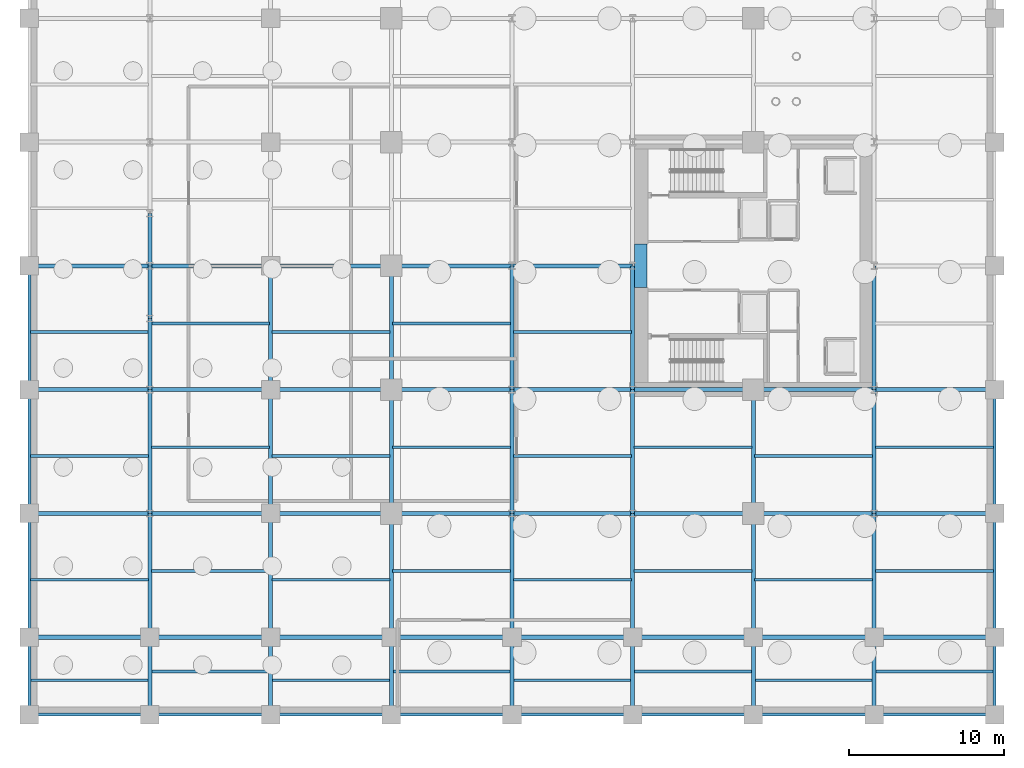
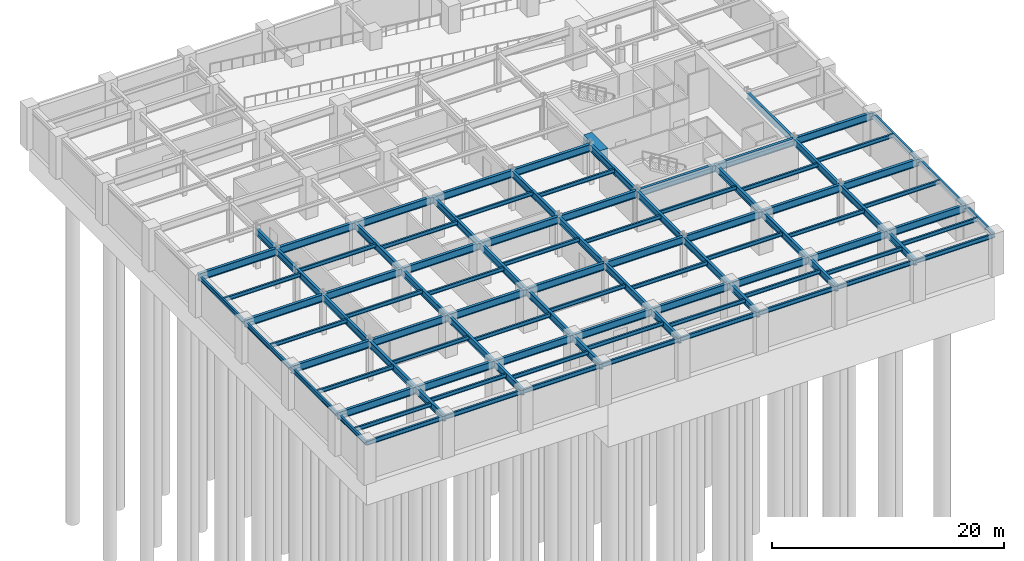
# One storey, part 3 of 10: 103 beams.
"""IFC4 building model written with IfcOpenShell, lengths in metres."""

from ifc_helpers import new_model, si_unit, direction, frame, origin, origin_2d, place, context, subcontext, project, spatial, rectangle, i_section, extrude, material, material_profile, profile_set, type_object, element, save


model = new_model("IFC4")

# Units and contexts
model_context = context("Model", 3, precision=1e-05, world=origin(), true_north=direction((0.0, 1.0)))
body_context = subcontext(model_context, "Body", "Model", "MODEL_VIEW")
ifc_project = project(units=[si_unit("LENGTHUNIT", "METRE"), si_unit("AREAUNIT", "SQUARE_METRE"), si_unit("VOLUMEUNIT", "CUBIC_METRE"), si_unit("PLANEANGLEUNIT", "RADIAN"), si_unit("MASSUNIT", "GRAM", prefix="KILO")], contexts=[model_context])

# Site, building, storey
site_placement = place(None, origin())
site = spatial("IfcSite", under=ifc_project, at=site_placement, CompositionType="ELEMENT")
building_placement = place(site_placement, origin())
building = spatial("IfcBuilding", under=site, at=building_placement, Name="Veymaron Broadcast Tower", CompositionType="ELEMENT")
storey_placement = place(building_placement, frame((0.0, 0.0, -9.0)))
storey = spatial("IfcBuildingStorey", under=building, at=storey_placement, Name="B2", CompositionType="ELEMENT", Elevation=-9.0)

# Beams
ifc_material_1 = material(Name="Concrete C70/85", Category="concrete")
ifc_material_profile_1 = material_profile(ifc_material_1, rectangle(XDim=0.800048828125, YDim=1.10009765625, at=origin_2d()), Name="RC800X1100")
ifc_profile_set_1 = profile_set([ifc_material_profile_1], Name="Concrete C70/85")
beam_type_1 = type_object("IfcBeamType", Name="BM-CB1", PredefinedType="LINTEL", material=ifc_profile_set_1)
beam_1_placement = place(storey_placement, frame((39.530029296875, 22.60009765625, 3.60009765625), z_axis=(0.0, 1.0, 0.0), x_axis=(-1.0, 0.0, 0.0)))
element("IfcBeam", 1, at=beam_1_placement, inside=storey, type_object=beam_type_1, Name="B2 Core Wall west coupling beam", PredefinedType="LINTEL", context=body_context, shape_type="SweptSolid", body=[
    extrude(rectangle(XDim=0.800048828125, YDim=1.10009765625, at=origin_2d()), origin(), (0.0, 0.0, 1.0), 2.7998046875),
])
ifc_material_2 = material(Name="Structural steel ASTM A992 Gr 50", Category="steel")
ifc_material_profile_2 = material_profile(ifc_material_2, i_section(OverallWidth=0.177978515625, OverallDepth=0.406982421875, WebThickness=0.0078125, FlangeThickness=0.0126953125, at=origin_2d()), Name="W410X60")
ifc_profile_set_2 = profile_set([ifc_material_profile_2], Name="Structural steel ASTM A992 Gr 50")
beam_type_2 = type_object("IfcBeamType", Name="BM-JS1", PredefinedType="JOIST", material=ifc_profile_set_2)
for number, where, z_axis, x_axis, name in (
    (2, (0.0849609375, -2.780029296875, 3.946533203125), (1.0, 0.0, 0.0), (0.0, 1.0, 0.0), "B2 podium secondary floor joist"),
    (3, (0.0849609375, 3.719970703125, 3.946533203125), (1.0, 0.0, 0.0), (0.0, 1.0, 0.0), "B2 podium secondary floor joist"),
    (4, (0.0849609375, 11.719970703125, 3.946533203125), (1.0, 0.0, 0.0), (0.0, 1.0, 0.0), "B2 podium secondary floor joist"),
    (5, (0.0849609375, 19.719970703125, 3.946533203125), (1.0, 0.0, 0.0), (0.0, 1.0, 0.0), "B2 podium secondary floor joist"),
):
    element("IfcBeam", number, at=place(storey_placement, frame(where, z_axis=z_axis, x_axis=x_axis)), inside=storey, type_object=beam_type_2, Name=name, PredefinedType="JOIST", context=body_context, shape_type="SweptSolid", body=[
        extrude(i_section(OverallWidth=0.177978515625, OverallDepth=0.406982421875, WebThickness=0.0078125, FlangeThickness=0.0126953125, at=origin_2d()), origin(), (0.0, 0.0, 1.0), 7.630126953125),
    ])
for number, where, z_axis, x_axis, name in (
    (6, (7.885009765625, -2.219970703125, 3.946533203125), (1.0, 0.0, 0.0), (0.0, 1.0, 0.0), "B2 podium secondary floor joist"),
    (7, (7.885009765625, 4.280029296875, 3.946533203125), (1.0, 0.0, 0.0), (0.0, 1.0, 0.0), "B2 podium secondary floor joist"),
    (8, (7.885009765625, 12.280029296875, 3.946533203125), (1.0, 0.0, 0.0), (0.0, 1.0, 0.0), "B2 podium secondary floor joist"),
    (9, (7.885009765625, 20.280029296875, 3.946533203125), (1.0, 0.0, 0.0), (0.0, 1.0, 0.0), "B2 podium secondary floor joist"),
    (10, (15.68505859375, -2.780029296875, 3.946533203125), (1.0, 0.0, 0.0), (0.0, 1.0, 0.0), "B2 podium secondary floor joist"),
    (11, (15.68505859375, 3.719970703125, 3.946533203125), (1.0, 0.0, 0.0), (0.0, 1.0, 0.0), "B2 podium secondary floor joist"),
    (12, (15.68505859375, 11.719970703125, 3.946533203125), (1.0, 0.0, 0.0), (0.0, 1.0, 0.0), "B2 podium secondary floor joist"),
    (13, (15.68505859375, 19.719970703125, 3.946533203125), (1.0, 0.0, 0.0), (0.0, 1.0, 0.0), "B2 podium secondary floor joist"),
    (14, (23.485107421875, -2.219970703125, 3.946533203125), (1.0, 0.0, 0.0), (0.0, 1.0, 0.0), "B2 podium secondary floor joist"),
    (15, (23.485107421875, 4.280029296875, 3.946533203125), (1.0, 0.0, 0.0), (0.0, 1.0, 0.0), "B2 podium secondary floor joist"),
    (16, (23.485107421875, 12.280029296875, 3.946533203125), (1.0, 0.0, 0.0), (0.0, 1.0, 0.0), "B2 podium secondary floor joist"),
    (17, (23.485107421875, 20.280029296875, 3.946533203125), (1.0, 0.0, 0.0), (0.0, 1.0, 0.0), "B2 podium secondary floor joist"),
):
    element("IfcBeam", number, at=place(storey_placement, frame(where, z_axis=z_axis, x_axis=x_axis)), inside=storey, type_object=beam_type_2, Name=name, PredefinedType="JOIST", context=body_context, shape_type="SweptSolid", body=[
        extrude(i_section(OverallWidth=0.177978515625, OverallDepth=0.406982421875, WebThickness=0.0078125, FlangeThickness=0.0126953125, at=origin_2d()), origin(), (0.0, 0.0, 1.0), 7.6298828125),
    ])
for number, where, z_axis, x_axis, name in (
    (18, (31.284912109375, -2.780029296875, 3.946533203125), (1.0, 0.0, 0.0), (0.0, 1.0, 0.0), "B2 podium secondary floor joist"),
    (19, (31.284912109375, 3.719970703125, 3.946533203125), (1.0, 0.0, 0.0), (0.0, 1.0, 0.0), "B2 podium secondary floor joist"),
    (20, (31.284912109375, 11.719970703125, 3.946533203125), (1.0, 0.0, 0.0), (0.0, 1.0, 0.0), "B2 podium secondary floor joist"),
    (21, (31.284912109375, 19.719970703125, 3.946533203125), (1.0, 0.0, 0.0), (0.0, 1.0, 0.0), "B2 podium secondary floor joist"),
    (22, (39.0849609375, -2.219970703125, 3.946533203125), (1.0, 0.0, 0.0), (0.0, 1.0, 0.0), "B2 podium secondary floor joist"),
    (23, (39.0849609375, 4.280029296875, 3.946533203125), (1.0, 0.0, 0.0), (0.0, 1.0, 0.0), "B2 podium secondary floor joist"),
    (24, (39.0849609375, 12.280029296875, 3.946533203125), (1.0, 0.0, 0.0), (0.0, 1.0, 0.0), "B2 podium secondary floor joist"),
):
    element("IfcBeam", number, at=place(storey_placement, frame(where, z_axis=z_axis, x_axis=x_axis)), inside=storey, type_object=beam_type_2, Name=name, PredefinedType="JOIST", context=body_context, shape_type="SweptSolid", body=[
        extrude(i_section(OverallWidth=0.177978515625, OverallDepth=0.406982421875, WebThickness=0.0078125, FlangeThickness=0.0126953125, at=origin_2d()), origin(), (0.0, 0.0, 1.0), 7.630126953125),
    ])
for number, where, z_axis, x_axis, name in (
    (25, (46.885009765625, -2.780029296875, 3.946533203125), (1.0, 0.0, 0.0), (0.0, 1.0, 0.0), "B2 podium secondary floor joist"),
    (26, (46.885009765625, 3.719970703125, 3.946533203125), (1.0, 0.0, 0.0), (0.0, 1.0, 0.0), "B2 podium secondary floor joist"),
    (27, (46.885009765625, 11.719970703125, 3.946533203125), (1.0, 0.0, 0.0), (0.0, 1.0, 0.0), "B2 podium secondary floor joist"),
    (28, (54.68505859375, -2.219970703125, 3.946533203125), (1.0, 0.0, 0.0), (0.0, 1.0, 0.0), "B2 podium secondary floor joist"),
    (29, (54.68505859375, 4.280029296875, 3.946533203125), (1.0, 0.0, 0.0), (0.0, 1.0, 0.0), "B2 podium secondary floor joist"),
    (30, (54.68505859375, 12.280029296875, 3.946533203125), (1.0, 0.0, 0.0), (0.0, 1.0, 0.0), "B2 podium secondary floor joist"),
):
    element("IfcBeam", number, at=place(storey_placement, frame(where, z_axis=z_axis, x_axis=x_axis)), inside=storey, type_object=beam_type_2, Name=name, PredefinedType="JOIST", context=body_context, shape_type="SweptSolid", body=[
        extrude(i_section(OverallWidth=0.177978515625, OverallDepth=0.406982421875, WebThickness=0.0078125, FlangeThickness=0.0126953125, at=origin_2d()), origin(), (0.0, 0.0, 1.0), 7.6298828125),
    ])
ifc_material_profile_3 = material_profile(ifc_material_2, i_section(OverallWidth=0.26806640625, OverallDepth=0.77001953125, WebThickness=0.015625, FlangeThickness=0.025390625, at=origin_2d()), Name="W760X196")
ifc_profile_set_3 = profile_set([ifc_material_profile_3], Name="Structural steel ASTM A992 Gr 50")
beam_type_3 = type_object("IfcBeamType", Name="BM-PG1", PredefinedType="BEAM", material=ifc_profile_set_3)
for number, where, z_axis, x_axis, name in (
    (31, (0.0, 0.0, 3.764892578125), (1.0, 0.0, 0.0), (0.0, 1.0, 0.0), "B2 podium primary X-girder"),
    (32, (7.800048828125, 0.0, 3.764892578125), (1.0, 0.0, 0.0), (0.0, 1.0, 0.0), "B2 podium primary X-girder"),
):
    element("IfcBeam", number, at=place(storey_placement, frame(where, z_axis=z_axis, x_axis=x_axis)), inside=storey, type_object=beam_type_3, Name=name, PredefinedType="BEAM", context=body_context, shape_type="SweptSolid", body=[
        extrude(i_section(OverallWidth=0.26806640625, OverallDepth=0.77001953125, WebThickness=0.015625, FlangeThickness=0.025390625, at=origin_2d()), origin(), (0.0, 0.0, 1.0), 7.800048828125),
    ])
beam_2_placement = place(storey_placement, frame((15.60009765625, 0.0, 3.764892578125), z_axis=(1.0, 0.0, 0.0), x_axis=(0.0, 1.0, 0.0)))
element("IfcBeam", 33, at=beam_2_placement, inside=storey, type_object=beam_type_3, Name="B2 podium primary X-girder", PredefinedType="BEAM", context=body_context, shape_type="SweptSolid", body=[
    extrude(i_section(OverallWidth=0.26806640625, OverallDepth=0.77001953125, WebThickness=0.015625, FlangeThickness=0.025390625, at=origin_2d()), origin(), (0.0, 0.0, 1.0), 7.7998046875),
])
for number, where, z_axis, x_axis, name in (
    (34, (23.39990234375, 0.0, 3.764892578125), (1.0, 0.0, 0.0), (0.0, 1.0, 0.0), "B2 podium primary X-girder"),
    (35, (31.199951171875, 0.0, 3.764892578125), (1.0, 0.0, 0.0), (0.0, 1.0, 0.0), "B2 podium primary X-girder"),
    (36, (39.0, 0.0, 3.764892578125), (1.0, 0.0, 0.0), (0.0, 1.0, 0.0), "B2 podium primary X-girder"),
    (37, (46.800048828125, 0.0, 3.764892578125), (1.0, 0.0, 0.0), (0.0, 1.0, 0.0), "B2 podium primary X-girder"),
):
    element("IfcBeam", number, at=place(storey_placement, frame(where, z_axis=z_axis, x_axis=x_axis)), inside=storey, type_object=beam_type_3, Name=name, PredefinedType="BEAM", context=body_context, shape_type="SweptSolid", body=[
        extrude(i_section(OverallWidth=0.26806640625, OverallDepth=0.77001953125, WebThickness=0.015625, FlangeThickness=0.025390625, at=origin_2d()), origin(), (0.0, 0.0, 1.0), 7.800048828125),
    ])
beam_3_placement = place(storey_placement, frame((54.60009765625, 0.0, 3.764892578125), z_axis=(1.0, 0.0, 0.0), x_axis=(0.0, 1.0, 0.0)))
element("IfcBeam", 38, at=beam_3_placement, inside=storey, type_object=beam_type_3, Name="B2 podium primary X-girder", PredefinedType="BEAM", context=body_context, shape_type="SweptSolid", body=[
    extrude(i_section(OverallWidth=0.26806640625, OverallDepth=0.77001953125, WebThickness=0.015625, FlangeThickness=0.025390625, at=origin_2d()), origin(), (0.0, 0.0, 1.0), 7.7998046875),
])
for number, where, z_axis, x_axis, name in (
    (39, (0.0, 8.0, 3.764892578125), (1.0, 0.0, 0.0), (0.0, 1.0, 0.0), "B2 podium primary X-girder"),
    (40, (7.800048828125, 8.0, 3.764892578125), (1.0, 0.0, 0.0), (0.0, 1.0, 0.0), "B2 podium primary X-girder"),
):
    element("IfcBeam", number, at=place(storey_placement, frame(where, z_axis=z_axis, x_axis=x_axis)), inside=storey, type_object=beam_type_3, Name=name, PredefinedType="BEAM", context=body_context, shape_type="SweptSolid", body=[
        extrude(i_section(OverallWidth=0.26806640625, OverallDepth=0.77001953125, WebThickness=0.015625, FlangeThickness=0.025390625, at=origin_2d()), origin(), (0.0, 0.0, 1.0), 7.800048828125),
    ])
beam_4_placement = place(storey_placement, frame((15.60009765625, 8.0, 3.764892578125), z_axis=(1.0, 0.0, 0.0), x_axis=(0.0, 1.0, 0.0)))
element("IfcBeam", 41, at=beam_4_placement, inside=storey, type_object=beam_type_3, Name="B2 podium primary X-girder", PredefinedType="BEAM", context=body_context, shape_type="SweptSolid", body=[
    extrude(i_section(OverallWidth=0.26806640625, OverallDepth=0.77001953125, WebThickness=0.015625, FlangeThickness=0.025390625, at=origin_2d()), origin(), (0.0, 0.0, 1.0), 7.7998046875),
])
for number, where, z_axis, x_axis, name in (
    (42, (23.39990234375, 8.0, 3.764892578125), (1.0, 0.0, 0.0), (0.0, 1.0, 0.0), "B2 podium primary X-girder"),
    (43, (31.199951171875, 8.0, 3.764892578125), (1.0, 0.0, 0.0), (0.0, 1.0, 0.0), "B2 podium primary X-girder"),
    (44, (39.0, 8.0, 3.764892578125), (1.0, 0.0, 0.0), (0.0, 1.0, 0.0), "B2 podium primary X-girder"),
    (45, (46.800048828125, 8.0, 3.764892578125), (1.0, 0.0, 0.0), (0.0, 1.0, 0.0), "B2 podium primary X-girder"),
):
    element("IfcBeam", number, at=place(storey_placement, frame(where, z_axis=z_axis, x_axis=x_axis)), inside=storey, type_object=beam_type_3, Name=name, PredefinedType="BEAM", context=body_context, shape_type="SweptSolid", body=[
        extrude(i_section(OverallWidth=0.26806640625, OverallDepth=0.77001953125, WebThickness=0.015625, FlangeThickness=0.025390625, at=origin_2d()), origin(), (0.0, 0.0, 1.0), 7.800048828125),
    ])
beam_5_placement = place(storey_placement, frame((54.60009765625, 8.0, 3.764892578125), z_axis=(1.0, 0.0, 0.0), x_axis=(0.0, 1.0, 0.0)))
element("IfcBeam", 46, at=beam_5_placement, inside=storey, type_object=beam_type_3, Name="B2 podium primary X-girder", PredefinedType="BEAM", context=body_context, shape_type="SweptSolid", body=[
    extrude(i_section(OverallWidth=0.26806640625, OverallDepth=0.77001953125, WebThickness=0.015625, FlangeThickness=0.025390625, at=origin_2d()), origin(), (0.0, 0.0, 1.0), 7.7998046875),
])
for number, where, z_axis, x_axis, name in (
    (47, (0.0, 16.0, 3.764892578125), (1.0, 0.0, 0.0), (0.0, 1.0, 0.0), "B2 podium primary X-girder"),
    (48, (7.800048828125, 16.0, 3.764892578125), (1.0, 0.0, 0.0), (0.0, 1.0, 0.0), "B2 podium primary X-girder"),
):
    element("IfcBeam", number, at=place(storey_placement, frame(where, z_axis=z_axis, x_axis=x_axis)), inside=storey, type_object=beam_type_3, Name=name, PredefinedType="BEAM", context=body_context, shape_type="SweptSolid", body=[
        extrude(i_section(OverallWidth=0.26806640625, OverallDepth=0.77001953125, WebThickness=0.015625, FlangeThickness=0.025390625, at=origin_2d()), origin(), (0.0, 0.0, 1.0), 7.800048828125),
    ])
beam_6_placement = place(storey_placement, frame((15.60009765625, 16.0, 3.764892578125), z_axis=(1.0, 0.0, 0.0), x_axis=(0.0, 1.0, 0.0)))
element("IfcBeam", 49, at=beam_6_placement, inside=storey, type_object=beam_type_3, Name="B2 podium primary X-girder", PredefinedType="BEAM", context=body_context, shape_type="SweptSolid", body=[
    extrude(i_section(OverallWidth=0.26806640625, OverallDepth=0.77001953125, WebThickness=0.015625, FlangeThickness=0.025390625, at=origin_2d()), origin(), (0.0, 0.0, 1.0), 7.7998046875),
])
for number, where, z_axis, x_axis, name in (
    (50, (23.39990234375, 16.0, 3.764892578125), (1.0, 0.0, 0.0), (0.0, 1.0, 0.0), "B2 podium primary X-girder"),
    (51, (31.199951171875, 16.0, 3.764892578125), (1.0, 0.0, 0.0), (0.0, 1.0, 0.0), "B2 podium primary X-girder"),
    (52, (39.0, 16.0, 3.764892578125), (1.0, 0.0, 0.0), (0.0, 1.0, 0.0), "B2 podium primary X-girder"),
    (53, (46.800048828125, 16.0, 3.764892578125), (1.0, 0.0, 0.0), (0.0, 1.0, 0.0), "B2 podium primary X-girder"),
):
    element("IfcBeam", number, at=place(storey_placement, frame(where, z_axis=z_axis, x_axis=x_axis)), inside=storey, type_object=beam_type_3, Name=name, PredefinedType="BEAM", context=body_context, shape_type="SweptSolid", body=[
        extrude(i_section(OverallWidth=0.26806640625, OverallDepth=0.77001953125, WebThickness=0.015625, FlangeThickness=0.025390625, at=origin_2d()), origin(), (0.0, 0.0, 1.0), 7.800048828125),
    ])
beam_7_placement = place(storey_placement, frame((54.60009765625, 16.0, 3.764892578125), z_axis=(1.0, 0.0, 0.0), x_axis=(0.0, 1.0, 0.0)))
element("IfcBeam", 54, at=beam_7_placement, inside=storey, type_object=beam_type_3, Name="B2 podium primary X-girder", PredefinedType="BEAM", context=body_context, shape_type="SweptSolid", body=[
    extrude(i_section(OverallWidth=0.26806640625, OverallDepth=0.77001953125, WebThickness=0.015625, FlangeThickness=0.025390625, at=origin_2d()), origin(), (0.0, 0.0, 1.0), 7.7998046875),
])
for number, where, z_axis, x_axis, name in (
    (55, (0.0, 24.0, 3.764892578125), (1.0, 0.0, 0.0), (0.0, 1.0, 0.0), "B2 podium primary X-girder"),
    (56, (7.800048828125, 24.0, 3.764892578125), (1.0, 0.0, 0.0), (0.0, 1.0, 0.0), "B2 podium primary X-girder"),
):
    element("IfcBeam", number, at=place(storey_placement, frame(where, z_axis=z_axis, x_axis=x_axis)), inside=storey, type_object=beam_type_3, Name=name, PredefinedType="BEAM", context=body_context, shape_type="SweptSolid", body=[
        extrude(i_section(OverallWidth=0.26806640625, OverallDepth=0.77001953125, WebThickness=0.015625, FlangeThickness=0.025390625, at=origin_2d()), origin(), (0.0, 0.0, 1.0), 7.800048828125),
    ])
beam_8_placement = place(storey_placement, frame((15.60009765625, 24.0, 3.764892578125), z_axis=(1.0, 0.0, 0.0), x_axis=(0.0, 1.0, 0.0)))
element("IfcBeam", 57, at=beam_8_placement, inside=storey, type_object=beam_type_3, Name="B2 podium primary X-girder", PredefinedType="BEAM", context=body_context, shape_type="SweptSolid", body=[
    extrude(i_section(OverallWidth=0.26806640625, OverallDepth=0.77001953125, WebThickness=0.015625, FlangeThickness=0.025390625, at=origin_2d()), origin(), (0.0, 0.0, 1.0), 7.7998046875),
])
for number, where, z_axis, x_axis, name in (
    (58, (23.39990234375, 24.0, 3.764892578125), (1.0, 0.0, 0.0), (0.0, 1.0, 0.0), "B2 podium primary X-girder"),
    (59, (31.199951171875, 24.0, 3.764892578125), (1.0, 0.0, 0.0), (0.0, 1.0, 0.0), "B2 podium primary X-girder"),
):
    element("IfcBeam", number, at=place(storey_placement, frame(where, z_axis=z_axis, x_axis=x_axis)), inside=storey, type_object=beam_type_3, Name=name, PredefinedType="BEAM", context=body_context, shape_type="SweptSolid", body=[
        extrude(i_section(OverallWidth=0.26806640625, OverallDepth=0.77001953125, WebThickness=0.015625, FlangeThickness=0.025390625, at=origin_2d()), origin(), (0.0, 0.0, 1.0), 7.800048828125),
    ])
ifc_material_profile_4 = material_profile(ifc_material_2, i_section(OverallWidth=0.256103515625, OverallDepth=0.693115234375, WebThickness=0.014404296875, FlangeThickness=0.023681640625, at=origin_2d()), Name="W690X170")
ifc_profile_set_4 = profile_set([ifc_material_profile_4], Name="Structural steel ASTM A992 Gr 50")
beam_type_4 = type_object("IfcBeamType", Name="BM-PG2", PredefinedType="BEAM", material=ifc_profile_set_4)
beam_9_placement = place(storey_placement, frame((7.800048828125, -5.0, 3.803466796875), z_axis=(0.0, 1.0, 0.0), x_axis=(-1.0, 0.0, 0.0)))
element("IfcBeam", 60, at=beam_9_placement, inside=storey, type_object=beam_type_4, Name="B2 podium primary Y-girder", PredefinedType="BEAM", context=body_context, shape_type="SweptSolid", body=[
    extrude(i_section(OverallWidth=0.256103515625, OverallDepth=0.693115234375, WebThickness=0.014404296875, FlangeThickness=0.023681640625, at=origin_2d()), origin(), (0.0, 0.0, 1.0), 5.0),
])
for number, where, z_axis, x_axis, name in (
    (61, (7.800048828125, 0.0, 3.803466796875), (0.0, 1.0, 0.0), (-1.0, 0.0, 0.0), "B2 podium primary Y-girder"),
    (62, (7.800048828125, 8.0, 3.803466796875), (0.0, 1.0, 0.0), (-1.0, 0.0, 0.0), "B2 podium primary Y-girder"),
):
    element("IfcBeam", number, at=place(storey_placement, frame(where, z_axis=z_axis, x_axis=x_axis)), inside=storey, type_object=beam_type_4, Name=name, PredefinedType="BEAM", context=body_context, shape_type="SweptSolid", body=[
        extrude(i_section(OverallWidth=0.256103515625, OverallDepth=0.693115234375, WebThickness=0.014404296875, FlangeThickness=0.023681640625, at=origin_2d()), origin(), (0.0, 0.0, 1.0), 8.0),
    ])
beam_10_placement = place(storey_placement, frame((7.800048828125, 16.0, 3.803466796875), z_axis=(0.0, 1.0, 0.0), x_axis=(-1.0, 0.0, 0.0)))
element("IfcBeam", 63, at=beam_10_placement, inside=storey, type_object=beam_type_4, Name="B2 podium primary Y-girder", PredefinedType="BEAM", context=body_context, shape_type="SweptSolid", body=[
    extrude(i_section(OverallWidth=0.256103515625, OverallDepth=0.693115234375, WebThickness=0.014404296875, FlangeThickness=0.023681640625, at=origin_2d()), origin(), (0.0, 0.0, 1.0), 4.60009765625),
])
for number, where, z_axis, x_axis, name in (
    (64, (7.800048828125, 20.60009765625, 3.803466796875), (0.0, 1.0, 0.0), (-1.0, 0.0, 0.0), "B2 podium primary Y-girder"),
    (65, (7.800048828125, 24.0, 3.803466796875), (0.0, 1.0, 0.0), (-1.0, 0.0, 0.0), "B2 podium primary Y-girder"),
):
    element("IfcBeam", number, at=place(storey_placement, frame(where, z_axis=z_axis, x_axis=x_axis)), inside=storey, type_object=beam_type_4, Name=name, PredefinedType="BEAM", context=body_context, shape_type="SweptSolid", body=[
        extrude(i_section(OverallWidth=0.256103515625, OverallDepth=0.693115234375, WebThickness=0.014404296875, FlangeThickness=0.023681640625, at=origin_2d()), origin(), (0.0, 0.0, 1.0), 3.39990234375),
    ])
beam_11_placement = place(storey_placement, frame((15.60009765625, -5.0, 3.803466796875), z_axis=(0.0, 1.0, 0.0), x_axis=(-1.0, 0.0, 0.0)))
element("IfcBeam", 66, at=beam_11_placement, inside=storey, type_object=beam_type_4, Name="B2 podium primary Y-girder", PredefinedType="BEAM", context=body_context, shape_type="SweptSolid", body=[
    extrude(i_section(OverallWidth=0.256103515625, OverallDepth=0.693115234375, WebThickness=0.014404296875, FlangeThickness=0.023681640625, at=origin_2d()), origin(), (0.0, 0.0, 1.0), 5.0),
])
for number, where, z_axis, x_axis, name in (
    (67, (15.60009765625, 0.0, 3.803466796875), (0.0, 1.0, 0.0), (-1.0, 0.0, 0.0), "B2 podium primary Y-girder"),
    (68, (15.60009765625, 8.0, 3.803466796875), (0.0, 1.0, 0.0), (-1.0, 0.0, 0.0), "B2 podium primary Y-girder"),
    (69, (15.60009765625, 16.0, 3.803466796875), (0.0, 1.0, 0.0), (-1.0, 0.0, 0.0), "B2 podium primary Y-girder"),
):
    element("IfcBeam", number, at=place(storey_placement, frame(where, z_axis=z_axis, x_axis=x_axis)), inside=storey, type_object=beam_type_4, Name=name, PredefinedType="BEAM", context=body_context, shape_type="SweptSolid", body=[
        extrude(i_section(OverallWidth=0.256103515625, OverallDepth=0.693115234375, WebThickness=0.014404296875, FlangeThickness=0.023681640625, at=origin_2d()), origin(), (0.0, 0.0, 1.0), 8.0),
    ])
beam_12_placement = place(storey_placement, frame((23.39990234375, -5.0, 3.803466796875), z_axis=(0.0, 1.0, 0.0), x_axis=(-1.0, 0.0, 0.0)))
element("IfcBeam", 70, at=beam_12_placement, inside=storey, type_object=beam_type_4, Name="B2 podium primary Y-girder", PredefinedType="BEAM", context=body_context, shape_type="SweptSolid", body=[
    extrude(i_section(OverallWidth=0.256103515625, OverallDepth=0.693115234375, WebThickness=0.014404296875, FlangeThickness=0.023681640625, at=origin_2d()), origin(), (0.0, 0.0, 1.0), 5.0),
])
for number, where, z_axis, x_axis, name in (
    (71, (23.39990234375, 0.0, 3.803466796875), (0.0, 1.0, 0.0), (-1.0, 0.0, 0.0), "B2 podium primary Y-girder"),
    (72, (23.39990234375, 8.0, 3.803466796875), (0.0, 1.0, 0.0), (-1.0, 0.0, 0.0), "B2 podium primary Y-girder"),
    (73, (23.39990234375, 16.0, 3.803466796875), (0.0, 1.0, 0.0), (-1.0, 0.0, 0.0), "B2 podium primary Y-girder"),
):
    element("IfcBeam", number, at=place(storey_placement, frame(where, z_axis=z_axis, x_axis=x_axis)), inside=storey, type_object=beam_type_4, Name=name, PredefinedType="BEAM", context=body_context, shape_type="SweptSolid", body=[
        extrude(i_section(OverallWidth=0.256103515625, OverallDepth=0.693115234375, WebThickness=0.014404296875, FlangeThickness=0.023681640625, at=origin_2d()), origin(), (0.0, 0.0, 1.0), 8.0),
    ])
beam_13_placement = place(storey_placement, frame((31.199951171875, -5.0, 3.803466796875), z_axis=(0.0, 1.0, 0.0), x_axis=(-1.0, 0.0, 0.0)))
element("IfcBeam", 74, at=beam_13_placement, inside=storey, type_object=beam_type_4, Name="B2 podium primary Y-girder", PredefinedType="BEAM", context=body_context, shape_type="SweptSolid", body=[
    extrude(i_section(OverallWidth=0.256103515625, OverallDepth=0.693115234375, WebThickness=0.014404296875, FlangeThickness=0.023681640625, at=origin_2d()), origin(), (0.0, 0.0, 1.0), 5.0),
])
for number, where, z_axis, x_axis, name in (
    (75, (31.199951171875, 0.0, 3.803466796875), (0.0, 1.0, 0.0), (-1.0, 0.0, 0.0), "B2 podium primary Y-girder"),
    (76, (31.199951171875, 8.0, 3.803466796875), (0.0, 1.0, 0.0), (-1.0, 0.0, 0.0), "B2 podium primary Y-girder"),
    (77, (31.199951171875, 16.0, 3.803466796875), (0.0, 1.0, 0.0), (-1.0, 0.0, 0.0), "B2 podium primary Y-girder"),
):
    element("IfcBeam", number, at=place(storey_placement, frame(where, z_axis=z_axis, x_axis=x_axis)), inside=storey, type_object=beam_type_4, Name=name, PredefinedType="BEAM", context=body_context, shape_type="SweptSolid", body=[
        extrude(i_section(OverallWidth=0.256103515625, OverallDepth=0.693115234375, WebThickness=0.014404296875, FlangeThickness=0.023681640625, at=origin_2d()), origin(), (0.0, 0.0, 1.0), 8.0),
    ])
beam_14_placement = place(storey_placement, frame((39.0, -5.0, 3.803466796875), z_axis=(0.0, 1.0, 0.0), x_axis=(-1.0, 0.0, 0.0)))
element("IfcBeam", 78, at=beam_14_placement, inside=storey, type_object=beam_type_4, Name="B2 podium primary Y-girder", PredefinedType="BEAM", context=body_context, shape_type="SweptSolid", body=[
    extrude(i_section(OverallWidth=0.256103515625, OverallDepth=0.693115234375, WebThickness=0.014404296875, FlangeThickness=0.023681640625, at=origin_2d()), origin(), (0.0, 0.0, 1.0), 5.0),
])
for number, where, z_axis, x_axis, name in (
    (79, (39.0, 0.0, 3.803466796875), (0.0, 1.0, 0.0), (-1.0, 0.0, 0.0), "B2 podium primary Y-girder"),
    (80, (39.0, 8.0, 3.803466796875), (0.0, 1.0, 0.0), (-1.0, 0.0, 0.0), "B2 podium primary Y-girder"),
    (81, (39.0, 16.0, 3.803466796875), (0.0, 1.0, 0.0), (-1.0, 0.0, 0.0), "B2 podium primary Y-girder"),
):
    element("IfcBeam", number, at=place(storey_placement, frame(where, z_axis=z_axis, x_axis=x_axis)), inside=storey, type_object=beam_type_4, Name=name, PredefinedType="BEAM", context=body_context, shape_type="SweptSolid", body=[
        extrude(i_section(OverallWidth=0.256103515625, OverallDepth=0.693115234375, WebThickness=0.014404296875, FlangeThickness=0.023681640625, at=origin_2d()), origin(), (0.0, 0.0, 1.0), 8.0),
    ])
beam_15_placement = place(storey_placement, frame((46.800048828125, -5.0, 3.803466796875), z_axis=(0.0, 1.0, 0.0), x_axis=(-1.0, 0.0, 0.0)))
element("IfcBeam", 82, at=beam_15_placement, inside=storey, type_object=beam_type_4, Name="B2 podium primary Y-girder", PredefinedType="BEAM", context=body_context, shape_type="SweptSolid", body=[
    extrude(i_section(OverallWidth=0.256103515625, OverallDepth=0.693115234375, WebThickness=0.014404296875, FlangeThickness=0.023681640625, at=origin_2d()), origin(), (0.0, 0.0, 1.0), 5.0),
])
for number, where, z_axis, x_axis, name in (
    (83, (46.800048828125, 0.0, 3.803466796875), (0.0, 1.0, 0.0), (-1.0, 0.0, 0.0), "B2 podium primary Y-girder"),
    (84, (46.800048828125, 8.0, 3.803466796875), (0.0, 1.0, 0.0), (-1.0, 0.0, 0.0), "B2 podium primary Y-girder"),
):
    element("IfcBeam", number, at=place(storey_placement, frame(where, z_axis=z_axis, x_axis=x_axis)), inside=storey, type_object=beam_type_4, Name=name, PredefinedType="BEAM", context=body_context, shape_type="SweptSolid", body=[
        extrude(i_section(OverallWidth=0.256103515625, OverallDepth=0.693115234375, WebThickness=0.014404296875, FlangeThickness=0.023681640625, at=origin_2d()), origin(), (0.0, 0.0, 1.0), 8.0),
    ])
beam_16_placement = place(storey_placement, frame((54.60009765625, -5.0, 3.803466796875), z_axis=(0.0, 1.0, 0.0), x_axis=(-1.0, 0.0, 0.0)))
element("IfcBeam", 85, at=beam_16_placement, inside=storey, type_object=beam_type_4, Name="B2 podium primary Y-girder", PredefinedType="BEAM", context=body_context, shape_type="SweptSolid", body=[
    extrude(i_section(OverallWidth=0.256103515625, OverallDepth=0.693115234375, WebThickness=0.014404296875, FlangeThickness=0.023681640625, at=origin_2d()), origin(), (0.0, 0.0, 1.0), 5.0),
])
for number, where, z_axis, x_axis, name in (
    (86, (54.60009765625, 0.0, 3.803466796875), (0.0, 1.0, 0.0), (-1.0, 0.0, 0.0), "B2 podium primary Y-girder"),
    (87, (54.60009765625, 8.0, 3.803466796875), (0.0, 1.0, 0.0), (-1.0, 0.0, 0.0), "B2 podium primary Y-girder"),
    (88, (54.60009765625, 16.0, 3.803466796875), (0.0, 1.0, 0.0), (-1.0, 0.0, 0.0), "B2 podium primary Y-girder"),
):
    element("IfcBeam", number, at=place(storey_placement, frame(where, z_axis=z_axis, x_axis=x_axis)), inside=storey, type_object=beam_type_4, Name=name, PredefinedType="BEAM", context=body_context, shape_type="SweptSolid", body=[
        extrude(i_section(OverallWidth=0.256103515625, OverallDepth=0.693115234375, WebThickness=0.014404296875, FlangeThickness=0.023681640625, at=origin_2d()), origin(), (0.0, 0.0, 1.0), 8.0),
    ])
ifc_material_profile_5 = material_profile(ifc_material_2, i_section(OverallWidth=0.19091796875, OverallDepth=0.4599609375, WebThickness=0.010009765625, FlangeThickness=0.01611328125, at=origin_2d()), Name="W460X82")
ifc_profile_set_5 = profile_set([ifc_material_profile_5], Name="Structural steel ASTM A992 Gr 50")
beam_type_5 = type_object("IfcBeamType", Name="BM-SP1", PredefinedType="SPANDREL", material=ifc_profile_set_5)
for number, where, z_axis, x_axis, name in (
    (89, (0.0, -5.0, 3.919921875), (1.0, 0.0, 0.0), (0.0, 1.0, 0.0), "B2 podium primary X-girder"),
    (90, (7.800048828125, -5.0, 3.919921875), (1.0, 0.0, 0.0), (0.0, 1.0, 0.0), "B2 podium primary X-girder"),
):
    element("IfcBeam", number, at=place(storey_placement, frame(where, z_axis=z_axis, x_axis=x_axis)), inside=storey, type_object=beam_type_5, Name=name, PredefinedType="SPANDREL", context=body_context, shape_type="SweptSolid", body=[
        extrude(i_section(OverallWidth=0.19091796875, OverallDepth=0.4599609375, WebThickness=0.010009765625, FlangeThickness=0.01611328125, at=origin_2d()), origin(), (0.0, 0.0, 1.0), 7.800048828125),
    ])
beam_17_placement = place(storey_placement, frame((15.60009765625, -5.0, 3.919921875), z_axis=(1.0, 0.0, 0.0), x_axis=(0.0, 1.0, 0.0)))
element("IfcBeam", 91, at=beam_17_placement, inside=storey, type_object=beam_type_5, Name="B2 podium primary X-girder", PredefinedType="SPANDREL", context=body_context, shape_type="SweptSolid", body=[
    extrude(i_section(OverallWidth=0.19091796875, OverallDepth=0.4599609375, WebThickness=0.010009765625, FlangeThickness=0.01611328125, at=origin_2d()), origin(), (0.0, 0.0, 1.0), 7.7998046875),
])
for number, where, z_axis, x_axis, name in (
    (92, (23.39990234375, -5.0, 3.919921875), (1.0, 0.0, 0.0), (0.0, 1.0, 0.0), "B2 podium primary X-girder"),
    (93, (31.199951171875, -5.0, 3.919921875), (1.0, 0.0, 0.0), (0.0, 1.0, 0.0), "B2 podium primary X-girder"),
    (94, (39.0, -5.0, 3.919921875), (1.0, 0.0, 0.0), (0.0, 1.0, 0.0), "B2 podium primary X-girder"),
    (95, (46.800048828125, -5.0, 3.919921875), (1.0, 0.0, 0.0), (0.0, 1.0, 0.0), "B2 podium primary X-girder"),
):
    element("IfcBeam", number, at=place(storey_placement, frame(where, z_axis=z_axis, x_axis=x_axis)), inside=storey, type_object=beam_type_5, Name=name, PredefinedType="SPANDREL", context=body_context, shape_type="SweptSolid", body=[
        extrude(i_section(OverallWidth=0.19091796875, OverallDepth=0.4599609375, WebThickness=0.010009765625, FlangeThickness=0.01611328125, at=origin_2d()), origin(), (0.0, 0.0, 1.0), 7.800048828125),
    ])
beam_18_placement = place(storey_placement, frame((54.60009765625, -5.0, 3.919921875), z_axis=(1.0, 0.0, 0.0), x_axis=(0.0, 1.0, 0.0)))
element("IfcBeam", 96, at=beam_18_placement, inside=storey, type_object=beam_type_5, Name="B2 podium primary X-girder", PredefinedType="SPANDREL", context=body_context, shape_type="SweptSolid", body=[
    extrude(i_section(OverallWidth=0.19091796875, OverallDepth=0.4599609375, WebThickness=0.010009765625, FlangeThickness=0.01611328125, at=origin_2d()), origin(), (0.0, 0.0, 1.0), 7.7998046875),
])
beam_19_placement = place(storey_placement, frame((0.0, -5.0, 3.919921875), z_axis=(0.0, 1.0, 0.0), x_axis=(-1.0, 0.0, 0.0)))
element("IfcBeam", 97, at=beam_19_placement, inside=storey, type_object=beam_type_5, Name="B2 podium primary Y-girder", PredefinedType="SPANDREL", context=body_context, shape_type="SweptSolid", body=[
    extrude(i_section(OverallWidth=0.19091796875, OverallDepth=0.4599609375, WebThickness=0.010009765625, FlangeThickness=0.01611328125, at=origin_2d()), origin(), (0.0, 0.0, 1.0), 5.0),
])
for number, where, z_axis, x_axis, name in (
    (98, (0.0, 0.0, 3.919921875), (0.0, 1.0, 0.0), (-1.0, 0.0, 0.0), "B2 podium primary Y-girder"),
    (99, (0.0, 8.0, 3.919921875), (0.0, 1.0, 0.0), (-1.0, 0.0, 0.0), "B2 podium primary Y-girder"),
    (100, (0.0, 16.0, 3.919921875), (0.0, 1.0, 0.0), (-1.0, 0.0, 0.0), "B2 podium primary Y-girder"),
):
    element("IfcBeam", number, at=place(storey_placement, frame(where, z_axis=z_axis, x_axis=x_axis)), inside=storey, type_object=beam_type_5, Name=name, PredefinedType="SPANDREL", context=body_context, shape_type="SweptSolid", body=[
        extrude(i_section(OverallWidth=0.19091796875, OverallDepth=0.4599609375, WebThickness=0.010009765625, FlangeThickness=0.01611328125, at=origin_2d()), origin(), (0.0, 0.0, 1.0), 8.0),
    ])
beam_20_placement = place(storey_placement, frame((62.39990234375, -5.0, 3.919921875), z_axis=(0.0, 1.0, 0.0), x_axis=(-1.0, 0.0, 0.0)))
element("IfcBeam", 101, at=beam_20_placement, inside=storey, type_object=beam_type_5, Name="B2 podium primary Y-girder", PredefinedType="SPANDREL", context=body_context, shape_type="SweptSolid", body=[
    extrude(i_section(OverallWidth=0.19091796875, OverallDepth=0.4599609375, WebThickness=0.010009765625, FlangeThickness=0.01611328125, at=origin_2d()), origin(), (0.0, 0.0, 1.0), 5.0),
])
for number, where, z_axis, x_axis, name in (
    (102, (62.39990234375, 0.0, 3.919921875), (0.0, 1.0, 0.0), (-1.0, 0.0, 0.0), "B2 podium primary Y-girder"),
    (103, (62.39990234375, 8.0, 3.919921875), (0.0, 1.0, 0.0), (-1.0, 0.0, 0.0), "B2 podium primary Y-girder"),
):
    element("IfcBeam", number, at=place(storey_placement, frame(where, z_axis=z_axis, x_axis=x_axis)), inside=storey, type_object=beam_type_5, Name=name, PredefinedType="SPANDREL", context=body_context, shape_type="SweptSolid", body=[
        extrude(i_section(OverallWidth=0.19091796875, OverallDepth=0.4599609375, WebThickness=0.010009765625, FlangeThickness=0.01611328125, at=origin_2d()), origin(), (0.0, 0.0, 1.0), 8.0),
    ])

save(model, "model.ifc")
